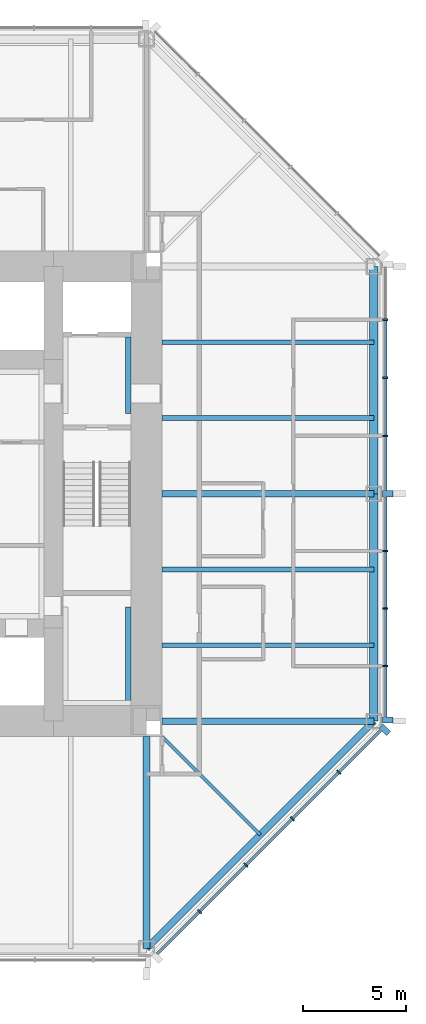
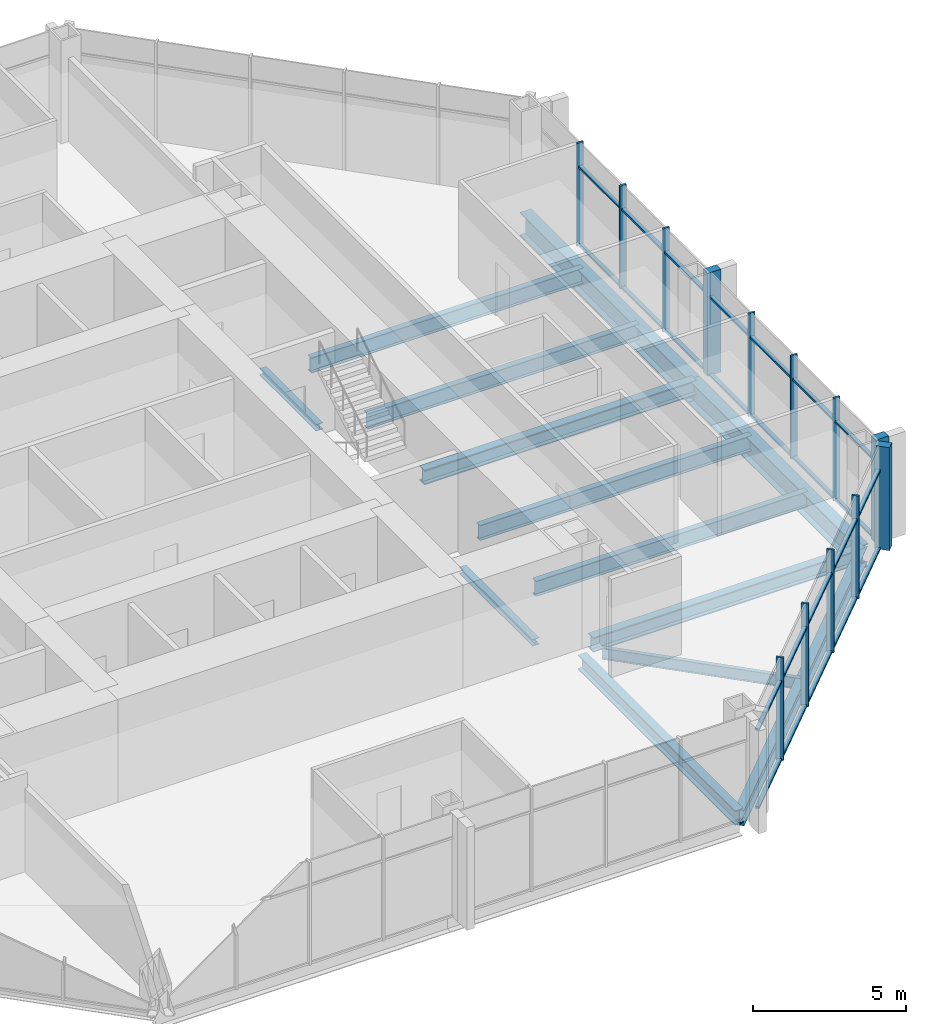
# One storey, part 4 of 12: 37 members, 13 beams, 2 elements without a shape of their own.
"""IFC4 building model written with IfcOpenShell, lengths in metres."""

from ifc_helpers import new_model, si_unit, direction, frame, origin, origin_2d, place, context, subcontext, project, spatial, rectangle, i_section, extrude, material, material_profile, profile_set, type_object, element, aggregate, save


model = new_model("IFC4")

# Units and contexts
model_context = context("Model", 3, precision=1e-05, world=origin(), true_north=direction((0.0, 1.0)))
body_context = subcontext(model_context, "Body", "Model", "MODEL_VIEW")
ifc_project = project(units=[si_unit("LENGTHUNIT", "METRE"), si_unit("AREAUNIT", "SQUARE_METRE"), si_unit("VOLUMEUNIT", "CUBIC_METRE"), si_unit("PLANEANGLEUNIT", "RADIAN"), si_unit("MASSUNIT", "GRAM", prefix="KILO")], contexts=[model_context])

# Site, building, storey
site_placement = place(None, origin())
site = spatial("IfcSite", under=ifc_project, at=site_placement, CompositionType="ELEMENT")
building_placement = place(site_placement, origin())
building = spatial("IfcBuilding", under=site, at=building_placement, Name="Trevanion Tower", CompositionType="ELEMENT")
storey_placement = place(building_placement, frame((0.0, 0.0, 133.60009765625)))
storey = spatial("IfcBuildingStorey", under=building, at=storey_placement, Name="L31", CompositionType="ELEMENT", Elevation=133.60009765625)

# Beams
ifc_material_1 = material(Name="Steel ASTM A992 Grade 50", Category="steel")
ifc_material_profile_1 = material_profile(ifc_material_1, i_section(OverallWidth=0.22900390625, OverallDepth=0.612060546875, WebThickness=0.011962890625, FlangeThickness=0.01953125, at=origin_2d()), Name="W24X84")
ifc_profile_set_1 = profile_set([ifc_material_profile_1], Name="Steel ASTM A992 Grade 50")
beam_type_1 = type_object("IfcBeamType", Name="B7 W24X84", PredefinedType="BEAM", material=ifc_profile_set_1)
for number, where, z_axis, x_axis, name in (
    (1, (11.75, -7.333251953125, -0.49609375), (1.0, 0.0, 0.0), (0.0, 1.0, 0.0), "B7 L31"),
    (2, (11.75, -3.666748046875, -0.49609375), (1.0, 0.0, 0.0), (0.0, 1.0, 0.0), "B7 L31"),
    (3, (11.75, 3.666748046875, -0.49609375), (1.0, 0.0, 0.0), (0.0, 1.0, 0.0), "B7 L31"),
    (4, (11.75, 7.333251953125, -0.49609375), (1.0, 0.0, 0.0), (0.0, 1.0, 0.0), "B7 L31"),
):
    element("IfcBeam", number, at=place(storey_placement, frame(where, z_axis=z_axis, x_axis=x_axis)), inside=storey, type_object=beam_type_1, Name=name, PredefinedType="BEAM", context=body_context, shape_type="SweptSolid", body=[
        extrude(i_section(OverallWidth=0.22900390625, OverallDepth=0.612060546875, WebThickness=0.011962890625, FlangeThickness=0.01953125, at=origin_2d()), origin(), (0.0, 0.0, 1.0), 10.25),
    ])
ifc_material_2 = material(Name="Steel ASTM A992 Grade 50", Category="steel")
ifc_material_profile_2 = material_profile(ifc_material_2, i_section(OverallWidth=0.15234375, OverallDepth=0.449462890625, WebThickness=0.007568359375, FlangeThickness=0.0107421875, at=origin_2d()), Name="W18X35")
ifc_profile_set_2 = profile_set([ifc_material_profile_2], Name="Steel ASTM A992 Grade 50")
beam_type_2 = type_object("IfcBeamType", Name="B8 W18X35", PredefinedType="BEAM", material=ifc_profile_set_2)
beam_1_placement = place(storey_placement, frame((11.75, -11.75, -0.414794921875), z_axis=(0.707106781187, -0.707106781187, 0.0), x_axis=(0.707106781187, 0.707106781187, 0.0)))
element("IfcBeam", 5, at=beam_1_placement, inside=storey, type_object=beam_type_2, Name="B8 L31", PredefinedType="BEAM", context=body_context, shape_type="SweptSolid", body=[
    extrude(i_section(OverallWidth=0.15234375, OverallDepth=0.449462890625, WebThickness=0.007568359375, FlangeThickness=0.0107421875, at=origin_2d()), origin(), (0.0, 0.0, 1.0), 6.717529296875),
])

# Curtain wall, members
ifc_material_3 = material(Name="Aluminium and glass", Category="aluminium")
curtain_wall_type = type_object("IfcCurtainWallType", Name="CW2 curtain wall", PredefinedType="USERDEFINED", material=ifc_material_3)
curtain_wall_1_placement = place(storey_placement, origin())
curtain_wall_1 = element("IfcCurtainWall", 6, at=curtain_wall_1_placement, inside=storey, type_object=curtain_wall_type, Name="CW2 L31 0", ObjectType="UNITISED CURTAIN WALL", PredefinedType="USERDEFINED")
ifc_material_4 = material(Name="Aluminium extrusion, anodised bronze", Category="aluminium")
ifc_material_profile_3 = material_profile(ifc_material_4, rectangle(XDim=0.074951171875, YDim=0.25, at=origin_2d()), Name="CW2 mullion")
ifc_profile_set_3 = profile_set([ifc_material_profile_3], Name="Aluminium extrusion, anodised bronze")
member_type_1 = type_object("IfcMemberType", Name="CW2 mullion", PredefinedType="MULLION", material=ifc_profile_set_3)
member_1_placement = place(storey_placement, frame((22.550048828125, -8.323486328125, -0.190185546875), z_axis=(0.0, 0.0, 1.0), x_axis=(0.0, 1.0, 0.0)))
member_1 = element("IfcMember", 7, at=member_1_placement, type_object=member_type_1, Name="CW2 mullion 2", PredefinedType="MULLION", context=body_context, shape_type="SweptSolid", body=[
    extrude(rectangle(XDim=0.074951171875, YDim=0.25, at=origin_2d()), origin(), (0.0, 0.0, 1.0), 4.10009765625),
])
member_2_placement = place(storey_placement, frame((22.550048828125, -5.548828125, -0.190185546875), z_axis=(0.0, 0.0, 1.0), x_axis=(0.0, 1.0, 0.0)))
member_2 = element("IfcMember", 8, at=member_2_placement, type_object=member_type_1, Name="CW2 mullion 3", PredefinedType="MULLION", context=body_context, shape_type="SweptSolid", body=[
    extrude(rectangle(XDim=0.074951171875, YDim=0.25, at=origin_2d()), origin(), (0.0, 0.0, 1.0), 4.10009765625),
])
member_3_placement = place(storey_placement, frame((22.550048828125, -2.7744140625, -0.190185546875), z_axis=(0.0, 0.0, 1.0), x_axis=(0.0, 1.0, 0.0)))
member_3 = element("IfcMember", 9, at=member_3_placement, type_object=member_type_1, Name="CW2 mullion 4", PredefinedType="MULLION", context=body_context, shape_type="SweptSolid", body=[
    extrude(rectangle(XDim=0.074951171875, YDim=0.25, at=origin_2d()), origin(), (0.0, 0.0, 1.0), 4.10009765625),
])
member_4_placement = place(storey_placement, frame((22.550048828125, 2.806884765625, -0.190185546875), z_axis=(0.0, 0.0, 1.0), x_axis=(0.0, 1.0, 0.0)))
member_4 = element("IfcMember", 10, at=member_4_placement, type_object=member_type_1, Name="CW2 mullion 6", PredefinedType="MULLION", context=body_context, shape_type="SweptSolid", body=[
    extrude(rectangle(XDim=0.074951171875, YDim=0.25, at=origin_2d()), origin(), (0.0, 0.0, 1.0), 4.10009765625),
])
member_5_placement = place(storey_placement, frame((22.550048828125, 5.614013671875, -0.190185546875), z_axis=(0.0, 0.0, 1.0), x_axis=(0.0, 1.0, 0.0)))
member_5 = element("IfcMember", 11, at=member_5_placement, type_object=member_type_1, Name="CW2 mullion 7", PredefinedType="MULLION", context=body_context, shape_type="SweptSolid", body=[
    extrude(rectangle(XDim=0.074951171875, YDim=0.25, at=origin_2d()), origin(), (0.0, 0.0, 1.0), 4.10009765625),
])
member_6_placement = place(storey_placement, frame((22.550048828125, 8.4208984375, -0.190185546875), z_axis=(0.0, 0.0, 1.0), x_axis=(0.0, 1.0, 0.0)))
member_6 = element("IfcMember", 12, at=member_6_placement, type_object=member_type_1, Name="CW2 mullion 8", PredefinedType="MULLION", context=body_context, shape_type="SweptSolid", body=[
    extrude(rectangle(XDim=0.074951171875, YDim=0.25, at=origin_2d()), origin(), (0.0, 0.0, 1.0), 4.10009765625),
])

curtain_wall_2_placement = place(storey_placement, origin())
curtain_wall_2 = element("IfcCurtainWall", 13, at=curtain_wall_2_placement, inside=storey, type_object=curtain_wall_type, Name="CW2 L31 7", ObjectType="UNITISED CURTAIN WALL", PredefinedType="USERDEFINED")
member_7_placement = place(storey_placement, frame((13.56591796875, -20.2119140625, -0.190185546875), z_axis=(0.0, 0.0, 1.0), x_axis=(0.707106781187, 0.707106781187, 0.0)))
member_7 = element("IfcMember", 14, at=member_7_placement, type_object=member_type_1, Name="CW2 mullion 2", PredefinedType="MULLION", context=body_context, shape_type="SweptSolid", body=[
    extrude(rectangle(XDim=0.074951171875, YDim=0.25, at=origin_2d()), origin(), (0.0, 0.0, 1.0), 4.10009765625),
])
member_8_placement = place(storey_placement, frame((15.811767578125, -17.966064453125, -0.190185546875), z_axis=(0.0, 0.0, 1.0), x_axis=(0.707106781187, 0.707106781187, 0.0)))
member_8 = element("IfcMember", 15, at=member_8_placement, type_object=member_type_1, Name="CW2 mullion 3", PredefinedType="MULLION", context=body_context, shape_type="SweptSolid", body=[
    extrude(rectangle(XDim=0.074951171875, YDim=0.25, at=origin_2d()), origin(), (0.0, 0.0, 1.0), 4.10009765625),
])
member_9_placement = place(storey_placement, frame((18.057861328125, -15.719970703125, -0.190185546875), z_axis=(0.0, 0.0, 1.0), x_axis=(0.707106781187, 0.707106781187, 0.0)))
member_9 = element("IfcMember", 16, at=member_9_placement, type_object=member_type_1, Name="CW2 mullion 4", PredefinedType="MULLION", context=body_context, shape_type="SweptSolid", body=[
    extrude(rectangle(XDim=0.074951171875, YDim=0.25, at=origin_2d()), origin(), (0.0, 0.0, 1.0), 4.10009765625),
])
member_10_placement = place(storey_placement, frame((20.303955078125, -13.473876953125, -0.190185546875), z_axis=(0.0, 0.0, 1.0), x_axis=(0.707106781187, 0.707106781187, 0.0)))
member_10 = element("IfcMember", 17, at=member_10_placement, type_object=member_type_1, Name="CW2 mullion 5", PredefinedType="MULLION", context=body_context, shape_type="SweptSolid", body=[
    extrude(rectangle(XDim=0.074951171875, YDim=0.25, at=origin_2d()), origin(), (0.0, 0.0, 1.0), 4.10009765625),
])

# Member
ifc_material_5 = material(Name="Aluminium extrusion, anodised bronze", Category="aluminium")
ifc_material_profile_4 = material_profile(ifc_material_5, rectangle(XDim=0.300048828125, YDim=0.5, at=origin_2d()), Name="CW2 pier mullion")
ifc_profile_set_4 = profile_set([ifc_material_profile_4], Name="Aluminium extrusion, anodised bronze")
member_type_2 = type_object("IfcMemberType", Name="CW2 pier mullion", PredefinedType="MULLION", material=ifc_profile_set_4)
member_11_placement = place(storey_placement, frame((22.675048828125, -10.94775390625, -0.190185546875), z_axis=(0.0, 0.0, 1.0), x_axis=(0.0, 1.0, 0.0)))
member_11 = element("IfcMember", 18, at=member_11_placement, type_object=member_type_2, Name="CW2 pier mullion 1", PredefinedType="MULLION", context=body_context, shape_type="SweptSolid", body=[
    extrude(rectangle(XDim=0.300048828125, YDim=0.5, at=origin_2d()), origin(), (0.0, 0.0, 1.0), 4.10009765625),
])

member_12_placement = place(storey_placement, frame((22.675048828125, 0.0, -0.190185546875), z_axis=(0.0, 0.0, 1.0), x_axis=(0.0, 1.0, 0.0)))
member_12 = element("IfcMember", 19, at=member_12_placement, type_object=member_type_2, Name="CW2 pier mullion 5", PredefinedType="MULLION", context=body_context, shape_type="SweptSolid", body=[
    extrude(rectangle(XDim=0.300048828125, YDim=0.5, at=origin_2d()), origin(), (0.0, 0.0, 1.0), 4.10009765625),
])

member_13_placement = place(storey_placement, frame((22.5322265625, -11.42236328125, -0.190185546875), z_axis=(0.0, 0.0, 1.0), x_axis=(0.707106781187, 0.707106781187, 0.0)))
member_13 = element("IfcMember", 20, at=member_13_placement, type_object=member_type_2, Name="CW2 pier mullion 6", PredefinedType="MULLION", context=body_context, shape_type="SweptSolid", body=[
    extrude(rectangle(XDim=0.300048828125, YDim=0.5, at=origin_2d()), origin(), (0.0, 0.0, 1.0), 4.10009765625),
])

ifc_material_6 = material(Name="Aluminium extrusion, anodised bronze", Category="aluminium")
ifc_material_profile_5 = material_profile(ifc_material_6, rectangle(XDim=0.14990234375, YDim=0.074951171875, at=origin_2d()), Name="CW2 transom")
ifc_profile_set_5 = profile_set([ifc_material_profile_5], Name="Aluminium extrusion, anodised bronze")
member_type_3 = type_object("IfcMemberType", Name="CW2 transom", PredefinedType="USERDEFINED", material=ifc_profile_set_5)
member_14_placement = place(storey_placement, frame((22.550048828125, -10.7978515625, -0.152587890625), z_axis=(0.0, 1.0, 0.0), x_axis=(-1.0, 0.0, 0.0)))
member_14 = element("IfcMember", 21, at=member_14_placement, type_object=member_type_3, Name="CW2 transom 1.1", ObjectType="TRANSOM", PredefinedType="USERDEFINED", context=body_context, shape_type="SweptSolid", body=[
    extrude(rectangle(XDim=0.14990234375, YDim=0.074951171875, at=origin_2d()), origin(), (0.0, 0.0, 1.0), 2.43701171875),
])

member_15_placement = place(storey_placement, frame((22.550048828125, -10.7978515625, 2.9599609375), z_axis=(0.0, 1.0, 0.0), x_axis=(-1.0, 0.0, 0.0)))
member_15 = element("IfcMember", 22, at=member_15_placement, type_object=member_type_3, Name="CW2 transom 1.2", ObjectType="TRANSOM", PredefinedType="USERDEFINED", context=body_context, shape_type="SweptSolid", body=[
    extrude(rectangle(XDim=0.14990234375, YDim=0.074951171875, at=origin_2d()), origin(), (0.0, 0.0, 1.0), 2.43701171875),
])

member_16_placement = place(storey_placement, frame((22.550048828125, -8.285888671875, -0.152587890625), z_axis=(0.0, 1.0, 0.0), x_axis=(-1.0, 0.0, 0.0)))
member_16 = element("IfcMember", 23, at=member_16_placement, type_object=member_type_3, Name="CW2 transom 2.1", ObjectType="TRANSOM", PredefinedType="USERDEFINED", context=body_context, shape_type="SweptSolid", body=[
    extrude(rectangle(XDim=0.14990234375, YDim=0.074951171875, at=origin_2d()), origin(), (0.0, 0.0, 1.0), 2.699462890625),
])

member_17_placement = place(storey_placement, frame((22.550048828125, -8.285888671875, 2.9599609375), z_axis=(0.0, 1.0, 0.0), x_axis=(-1.0, 0.0, 0.0)))
member_17 = element("IfcMember", 24, at=member_17_placement, type_object=member_type_3, Name="CW2 transom 2.2", ObjectType="TRANSOM", PredefinedType="USERDEFINED", context=body_context, shape_type="SweptSolid", body=[
    extrude(rectangle(XDim=0.14990234375, YDim=0.074951171875, at=origin_2d()), origin(), (0.0, 0.0, 1.0), 2.699462890625),
])

member_18_placement = place(storey_placement, frame((22.550048828125, -5.511474609375, -0.152587890625), z_axis=(0.0, 1.0, 0.0), x_axis=(-1.0, 0.0, 0.0)))
member_18 = element("IfcMember", 25, at=member_18_placement, type_object=member_type_3, Name="CW2 transom 3.1", ObjectType="TRANSOM", PredefinedType="USERDEFINED", context=body_context, shape_type="SweptSolid", body=[
    extrude(rectangle(XDim=0.14990234375, YDim=0.074951171875, at=origin_2d()), origin(), (0.0, 0.0, 1.0), 2.699462890625),
])

member_19_placement = place(storey_placement, frame((22.550048828125, -5.511474609375, 2.9599609375), z_axis=(0.0, 1.0, 0.0), x_axis=(-1.0, 0.0, 0.0)))
member_19 = element("IfcMember", 26, at=member_19_placement, type_object=member_type_3, Name="CW2 transom 3.2", ObjectType="TRANSOM", PredefinedType="USERDEFINED", context=body_context, shape_type="SweptSolid", body=[
    extrude(rectangle(XDim=0.14990234375, YDim=0.074951171875, at=origin_2d()), origin(), (0.0, 0.0, 1.0), 2.699462890625),
])

member_20_placement = place(storey_placement, frame((22.550048828125, -2.737060546875, -0.152587890625), z_axis=(0.0, 1.0, 0.0), x_axis=(-1.0, 0.0, 0.0)))
member_20 = element("IfcMember", 27, at=member_20_placement, type_object=member_type_3, Name="CW2 transom 4.1", ObjectType="TRANSOM", PredefinedType="USERDEFINED", context=body_context, shape_type="SweptSolid", body=[
    extrude(rectangle(XDim=0.14990234375, YDim=0.074951171875, at=origin_2d()), origin(), (0.0, 0.0, 1.0), 2.587158203125),
])

member_21_placement = place(storey_placement, frame((22.550048828125, -2.737060546875, 2.9599609375), z_axis=(0.0, 1.0, 0.0), x_axis=(-1.0, 0.0, 0.0)))
member_21 = element("IfcMember", 28, at=member_21_placement, type_object=member_type_3, Name="CW2 transom 4.2", ObjectType="TRANSOM", PredefinedType="USERDEFINED", context=body_context, shape_type="SweptSolid", body=[
    extrude(rectangle(XDim=0.14990234375, YDim=0.074951171875, at=origin_2d()), origin(), (0.0, 0.0, 1.0), 2.587158203125),
])

member_22_placement = place(storey_placement, frame((22.550048828125, 0.14990234375, -0.152587890625), z_axis=(0.0, 1.0, 0.0), x_axis=(-1.0, 0.0, 0.0)))
member_22 = element("IfcMember", 29, at=member_22_placement, type_object=member_type_3, Name="CW2 transom 5.1", ObjectType="TRANSOM", PredefinedType="USERDEFINED", context=body_context, shape_type="SweptSolid", body=[
    extrude(rectangle(XDim=0.14990234375, YDim=0.074951171875, at=origin_2d()), origin(), (0.0, 0.0, 1.0), 2.619384765625),
])

member_23_placement = place(storey_placement, frame((22.550048828125, 0.14990234375, 2.9599609375), z_axis=(0.0, 1.0, 0.0), x_axis=(-1.0, 0.0, 0.0)))
member_23 = element("IfcMember", 30, at=member_23_placement, type_object=member_type_3, Name="CW2 transom 5.2", ObjectType="TRANSOM", PredefinedType="USERDEFINED", context=body_context, shape_type="SweptSolid", body=[
    extrude(rectangle(XDim=0.14990234375, YDim=0.074951171875, at=origin_2d()), origin(), (0.0, 0.0, 1.0), 2.619384765625),
])

member_24_placement = place(storey_placement, frame((22.550048828125, 2.844482421875, -0.152587890625), z_axis=(0.0, 1.0, 0.0), x_axis=(-1.0, 0.0, 0.0)))
member_24 = element("IfcMember", 31, at=member_24_placement, type_object=member_type_3, Name="CW2 transom 6.1", ObjectType="TRANSOM", PredefinedType="USERDEFINED", context=body_context, shape_type="SweptSolid", body=[
    extrude(rectangle(XDim=0.14990234375, YDim=0.074951171875, at=origin_2d()), origin(), (0.0, 0.0, 1.0), 2.73193359375),
])

member_25_placement = place(storey_placement, frame((22.550048828125, 2.844482421875, 2.9599609375), z_axis=(0.0, 1.0, 0.0), x_axis=(-1.0, 0.0, 0.0)))
member_25 = element("IfcMember", 32, at=member_25_placement, type_object=member_type_3, Name="CW2 transom 6.2", ObjectType="TRANSOM", PredefinedType="USERDEFINED", context=body_context, shape_type="SweptSolid", body=[
    extrude(rectangle(XDim=0.14990234375, YDim=0.074951171875, at=origin_2d()), origin(), (0.0, 0.0, 1.0), 2.73193359375),
])

member_26_placement = place(storey_placement, frame((22.550048828125, 5.6513671875, -0.152587890625), z_axis=(0.0, 1.0, 0.0), x_axis=(-1.0, 0.0, 0.0)))
member_26 = element("IfcMember", 33, at=member_26_placement, type_object=member_type_3, Name="CW2 transom 7.1", ObjectType="TRANSOM", PredefinedType="USERDEFINED", context=body_context, shape_type="SweptSolid", body=[
    extrude(rectangle(XDim=0.14990234375, YDim=0.074951171875, at=origin_2d()), origin(), (0.0, 0.0, 1.0), 2.73193359375),
])

member_27_placement = place(storey_placement, frame((22.550048828125, 5.6513671875, 2.9599609375), z_axis=(0.0, 1.0, 0.0), x_axis=(-1.0, 0.0, 0.0)))
member_27 = element("IfcMember", 34, at=member_27_placement, type_object=member_type_3, Name="CW2 transom 7.2", ObjectType="TRANSOM", PredefinedType="USERDEFINED", context=body_context, shape_type="SweptSolid", body=[
    extrude(rectangle(XDim=0.14990234375, YDim=0.074951171875, at=origin_2d()), origin(), (0.0, 0.0, 1.0), 2.73193359375),
])

aggregate(curtain_wall_1, [member_11, member_1, member_2, member_3, member_12, member_4, member_5, member_6, member_14, member_15, member_16, member_17, member_18, member_19, member_20, member_21, member_22, member_23, member_24, member_25, member_26, member_27])

member_28_placement = place(storey_placement, frame((11.531982421875, -22.245849609375, -0.152587890625), z_axis=(0.707106781187, 0.707106781187, 0.0), x_axis=(-0.707106781187, 0.707106781187, 0.0)))
member_28 = element("IfcMember", 35, at=member_28_placement, type_object=member_type_3, Name="CW2 transom 1.1", ObjectType="TRANSOM", PredefinedType="USERDEFINED", context=body_context, shape_type="SweptSolid", body=[
    extrude(rectangle(XDim=0.14990234375, YDim=0.074951171875, at=origin_2d()), origin(), (0.0, 0.0, 1.0), 2.8388671875),
])

member_29_placement = place(storey_placement, frame((11.531982421875, -22.245849609375, 2.9599609375), z_axis=(0.707106781187, 0.707106781187, 0.0), x_axis=(-0.707106781187, 0.707106781187, 0.0)))
member_29 = element("IfcMember", 36, at=member_29_placement, type_object=member_type_3, Name="CW2 transom 1.2", ObjectType="TRANSOM", PredefinedType="USERDEFINED", context=body_context, shape_type="SweptSolid", body=[
    extrude(rectangle(XDim=0.14990234375, YDim=0.074951171875, at=origin_2d()), origin(), (0.0, 0.0, 1.0), 2.8388671875),
])

member_30_placement = place(storey_placement, frame((13.59228515625, -20.185546875, -0.152587890625), z_axis=(0.707106781187, 0.707106781187, 0.0), x_axis=(-0.707106781187, 0.707106781187, 0.0)))
member_30 = element("IfcMember", 37, at=member_30_placement, type_object=member_type_3, Name="CW2 transom 2.1", ObjectType="TRANSOM", PredefinedType="USERDEFINED", context=body_context, shape_type="SweptSolid", body=[
    extrude(rectangle(XDim=0.14990234375, YDim=0.074951171875, at=origin_2d()), origin(), (0.0, 0.0, 1.0), 3.1015625),
])

member_31_placement = place(storey_placement, frame((13.59228515625, -20.185546875, 2.9599609375), z_axis=(0.707106781187, 0.707106781187, 0.0), x_axis=(-0.707106781187, 0.707106781187, 0.0)))
member_31 = element("IfcMember", 38, at=member_31_placement, type_object=member_type_3, Name="CW2 transom 2.2", ObjectType="TRANSOM", PredefinedType="USERDEFINED", context=body_context, shape_type="SweptSolid", body=[
    extrude(rectangle(XDim=0.14990234375, YDim=0.074951171875, at=origin_2d()), origin(), (0.0, 0.0, 1.0), 3.1015625),
])

member_32_placement = place(storey_placement, frame((15.83837890625, -17.939453125, -0.152587890625), z_axis=(0.707106781187, 0.707106781187, 0.0), x_axis=(-0.707106781187, 0.707106781187, 0.0)))
member_32 = element("IfcMember", 39, at=member_32_placement, type_object=member_type_3, Name="CW2 transom 3.1", ObjectType="TRANSOM", PredefinedType="USERDEFINED", context=body_context, shape_type="SweptSolid", body=[
    extrude(rectangle(XDim=0.14990234375, YDim=0.074951171875, at=origin_2d()), origin(), (0.0, 0.0, 1.0), 3.1015625),
])

member_33_placement = place(storey_placement, frame((15.83837890625, -17.939453125, 2.9599609375), z_axis=(0.707106781187, 0.707106781187, 0.0), x_axis=(-0.707106781187, 0.707106781187, 0.0)))
member_33 = element("IfcMember", 40, at=member_33_placement, type_object=member_type_3, Name="CW2 transom 3.2", ObjectType="TRANSOM", PredefinedType="USERDEFINED", context=body_context, shape_type="SweptSolid", body=[
    extrude(rectangle(XDim=0.14990234375, YDim=0.074951171875, at=origin_2d()), origin(), (0.0, 0.0, 1.0), 3.1015625),
])

member_34_placement = place(storey_placement, frame((18.08447265625, -15.693359375, -0.152587890625), z_axis=(0.707106781187, 0.707106781187, 0.0), x_axis=(-0.707106781187, 0.707106781187, 0.0)))
member_34 = element("IfcMember", 41, at=member_34_placement, type_object=member_type_3, Name="CW2 transom 4.1", ObjectType="TRANSOM", PredefinedType="USERDEFINED", context=body_context, shape_type="SweptSolid", body=[
    extrude(rectangle(XDim=0.14990234375, YDim=0.074951171875, at=origin_2d()), origin(), (0.0, 0.0, 1.0), 3.10107421875),
])

member_35_placement = place(storey_placement, frame((18.08447265625, -15.693359375, 2.9599609375), z_axis=(0.707106781187, 0.707106781187, 0.0), x_axis=(-0.707106781187, 0.707106781187, 0.0)))
member_35 = element("IfcMember", 42, at=member_35_placement, type_object=member_type_3, Name="CW2 transom 4.2", ObjectType="TRANSOM", PredefinedType="USERDEFINED", context=body_context, shape_type="SweptSolid", body=[
    extrude(rectangle(XDim=0.14990234375, YDim=0.074951171875, at=origin_2d()), origin(), (0.0, 0.0, 1.0), 3.10107421875),
])

member_36_placement = place(storey_placement, frame((20.33056640625, -13.447509765625, -0.152587890625), z_axis=(0.707063781595, 0.707149778163, 0.0), x_axis=(-0.707149778163, 0.707063781595, 0.0)))
member_36 = element("IfcMember", 43, at=member_36_placement, type_object=member_type_3, Name="CW2 transom 5.1", ObjectType="TRANSOM", PredefinedType="USERDEFINED", context=body_context, shape_type="SweptSolid", body=[
    extrude(rectangle(XDim=0.14990234375, YDim=0.074951171875, at=origin_2d()), origin(), (0.0, 0.0, 1.0), 2.8388671875),
])

member_37_placement = place(storey_placement, frame((20.33056640625, -13.447509765625, 2.9599609375), z_axis=(0.707063781595, 0.707149778163, 0.0), x_axis=(-0.707149778163, 0.707063781595, 0.0)))
member_37 = element("IfcMember", 44, at=member_37_placement, type_object=member_type_3, Name="CW2 transom 5.2", ObjectType="TRANSOM", PredefinedType="USERDEFINED", context=body_context, shape_type="SweptSolid", body=[
    extrude(rectangle(XDim=0.14990234375, YDim=0.074951171875, at=origin_2d()), origin(), (0.0, 0.0, 1.0), 2.8388671875),
])

aggregate(curtain_wall_2, [member_7, member_8, member_9, member_10, member_13, member_28, member_29, member_30, member_31, member_32, member_33, member_34, member_35, member_36, member_37])

# Beams
ifc_material_7 = material(Name="Steel ASTM A992 Grade 50", Category="steel")
ifc_material_profile_6 = material_profile(ifc_material_7, i_section(OverallWidth=0.320068359375, OverallDepth=0.584228515625, WebThickness=0.023193359375, FlangeThickness=0.04150390625, at=origin_2d()), Name="W21X201")
ifc_profile_set_6 = profile_set([ifc_material_profile_6], Name="Steel ASTM A992 Grade 50")
beam_type_3 = type_object("IfcBeamType", Name="G4 W21X201", PredefinedType="BEAM", material=ifc_profile_set_6)
for number, where, z_axis, x_axis, name in (
    (45, (11.75, -11.0, -0.482177734375), (1.0, 0.0, 0.0), (0.0, 1.0, 0.0), "G4 L31"),
    (46, (11.75, 0.0, -0.482177734375), (1.0, 0.0, 0.0), (0.0, 1.0, 0.0), "G4 L31"),
    (47, (11.0, -11.75, -0.482177734375), (0.0, -1.0, 0.0), (1.0, 0.0, 0.0), "G4 L31"),
):
    element("IfcBeam", number, at=place(storey_placement, frame(where, z_axis=z_axis, x_axis=x_axis)), inside=storey, type_object=beam_type_3, Name=name, PredefinedType="BEAM", context=body_context, shape_type="SweptSolid", body=[
        extrude(i_section(OverallWidth=0.320068359375, OverallDepth=0.584228515625, WebThickness=0.023193359375, FlangeThickness=0.04150390625, at=origin_2d()), origin(), (0.0, 0.0, 1.0), 10.25),
    ])
ifc_material_8 = material(Name="Steel ASTM A992 Grade 50", Category="steel")
ifc_material_profile_7 = material_profile(ifc_material_8, i_section(OverallWidth=0.256591796875, OverallDepth=0.26416015625, WebThickness=0.011962890625, FlangeThickness=0.01953125, at=origin_2d()), Name="W10X68")
ifc_profile_set_7 = profile_set([ifc_material_profile_7], Name="Steel ASTM A992 Grade 50")
beam_type_4 = type_object("IfcBeamType", Name="LB1 W10X68", PredefinedType="BEAM", material=ifc_profile_set_7)
beam_2_placement = place(storey_placement, frame((10.12158203125, 3.875, -0.332275390625), z_axis=(0.0, 1.0, 0.0), x_axis=(-1.0, 0.0, 0.0)))
element("IfcBeam", 48, at=beam_2_placement, inside=storey, type_object=beam_type_4, Name="LB1 L31", PredefinedType="BEAM", context=body_context, shape_type="SweptSolid", body=[
    extrude(i_section(OverallWidth=0.256591796875, OverallDepth=0.26416015625, WebThickness=0.011962890625, FlangeThickness=0.01953125, at=origin_2d()), origin(), (0.0, 0.0, 1.0), 3.699951171875),
])
beam_3_placement = place(storey_placement, frame((10.12158203125, -10.25, -0.332275390625), z_axis=(0.0, 1.0, 0.0), x_axis=(-1.0, 0.0, 0.0)))
element("IfcBeam", 49, at=beam_3_placement, inside=storey, type_object=beam_type_4, Name="LB1 L31", PredefinedType="BEAM", context=body_context, shape_type="SweptSolid", body=[
    extrude(i_section(OverallWidth=0.256591796875, OverallDepth=0.26416015625, WebThickness=0.011962890625, FlangeThickness=0.01953125, at=origin_2d()), origin(), (0.0, 0.0, 1.0), 4.77490234375),
])
ifc_material_9 = material(Name="Steel ASTM A992 Grade 50", Category="steel")
ifc_material_profile_8 = material_profile(ifc_material_9, i_section(OverallWidth=0.419189453125, OverallDepth=0.927001953125, WebThickness=0.019287109375, FlangeThickness=0.031982421875, at=origin_2d()), Name="W36X231")
ifc_profile_set_8 = profile_set([ifc_material_profile_8], Name="Steel ASTM A992 Grade 50")
beam_type_5 = type_object("IfcBeamType", Name="SB4 W36X231", PredefinedType="SPANDREL", material=ifc_profile_set_8)
for number, where, z_axis, x_axis, name in (
    (50, (22.0, -11.0, -0.65380859375), (0.0, 1.0, 0.0), (-1.0, 0.0, 0.0), "SB4 L31"),
    (51, (22.0, 0.0, -0.65380859375), (0.0, 1.0, 0.0), (-1.0, 0.0, 0.0), "SB4 L31"),
):
    element("IfcBeam", number, at=place(storey_placement, frame(where, z_axis=z_axis, x_axis=x_axis)), inside=storey, type_object=beam_type_5, Name=name, PredefinedType="SPANDREL", context=body_context, shape_type="SweptSolid", body=[
        extrude(i_section(OverallWidth=0.419189453125, OverallDepth=0.927001953125, WebThickness=0.019287109375, FlangeThickness=0.031982421875, at=origin_2d()), origin(), (0.0, 0.0, 1.0), 11.0),
    ])
ifc_material_10 = material(Name="Steel ASTM A992 Grade 50", Category="steel")
ifc_material_profile_9 = material_profile(ifc_material_10, i_section(OverallWidth=0.32763671875, OverallDepth=0.62744140625, WebThickness=0.0166015625, FlangeThickness=0.027587890625, at=origin_2d()), Name="W24X146")
ifc_profile_set_9 = profile_set([ifc_material_profile_9], Name="Steel ASTM A992 Grade 50")
beam_type_6 = type_object("IfcBeamType", Name="SB5 W24X146", PredefinedType="SPANDREL", material=ifc_profile_set_9)
beam_4_placement = place(storey_placement, frame((11.0, -22.0, -0.50390625), z_axis=(0.707106781187, 0.707106781187, 0.0), x_axis=(-0.707106781187, 0.707106781187, 0.0)))
element("IfcBeam", 52, at=beam_4_placement, inside=storey, type_object=beam_type_6, Name="SB5 L31", PredefinedType="SPANDREL", context=body_context, shape_type="SweptSolid", body=[
    extrude(i_section(OverallWidth=0.32763671875, OverallDepth=0.62744140625, WebThickness=0.0166015625, FlangeThickness=0.027587890625, at=origin_2d()), origin(), (0.0, 0.0, 1.0), 15.556396484375),
])

save(model, "model.ifc")
